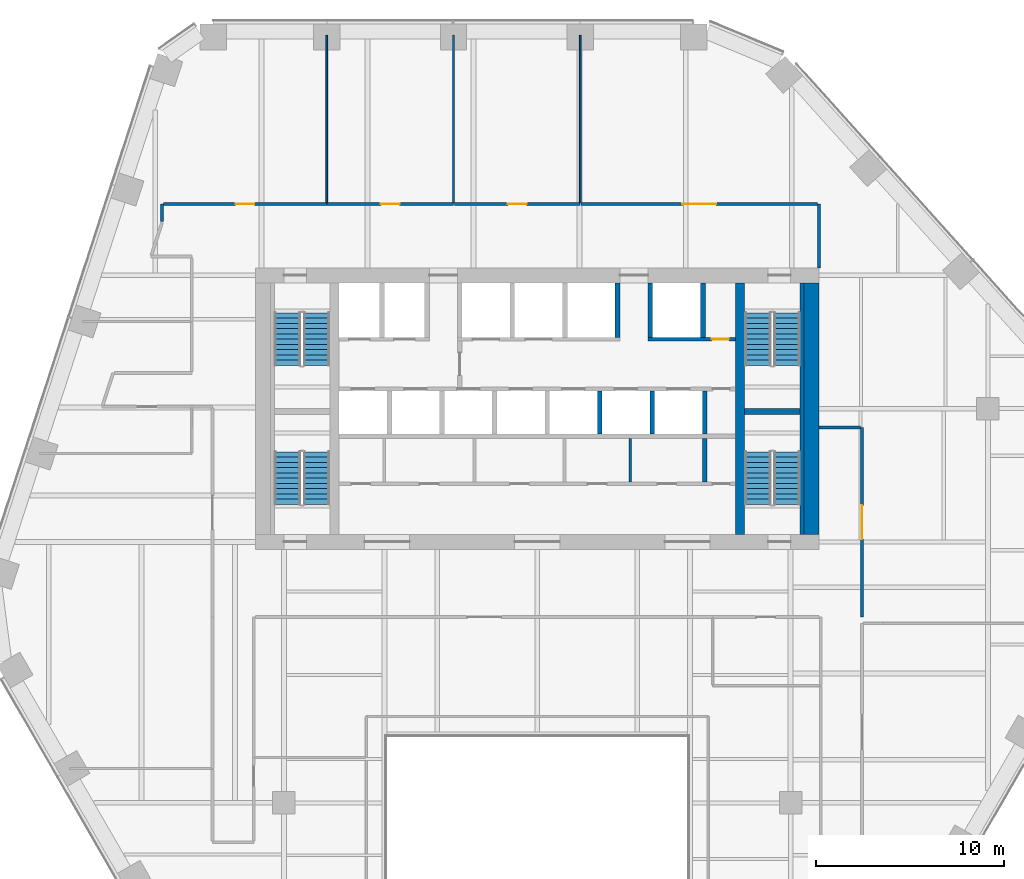
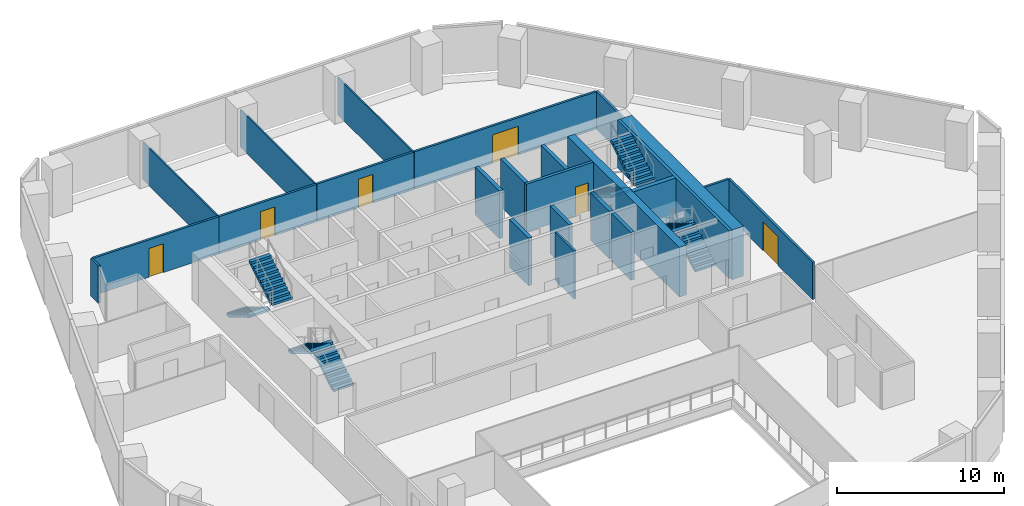
# One storey, part 13 of 16: 24 walls, 8 stair flights, 6 doors, 6 openings, 4 elements without a shape of their own.
"""IFC4 building model written with IfcOpenShell, lengths in metres."""

from ifc_helpers import new_model, si_unit, direction, frame, frame_2d, origin, place, context, subcontext, project, spatial, polyline, rectangle, outline, extrude, material, layer, layer_set, type_object, element, fill, aggregate, save


model = new_model("IFC4")

# Units and contexts
model_context = context("Model", 3, precision=1e-05, world=origin(), true_north=direction((0.0, 1.0)))
body_context = subcontext(model_context, "Body", "Model", "MODEL_VIEW")
ifc_project = project(units=[si_unit("LENGTHUNIT", "METRE"), si_unit("AREAUNIT", "SQUARE_METRE"), si_unit("VOLUMEUNIT", "CUBIC_METRE"), si_unit("PLANEANGLEUNIT", "RADIAN"), si_unit("MASSUNIT", "GRAM", prefix="KILO")], contexts=[model_context])

# Site, building, storey
site_placement = place(None, origin())
site = spatial("IfcSite", under=ifc_project, at=site_placement, CompositionType="ELEMENT")
building_placement = place(site_placement, origin())
building = spatial("IfcBuilding", under=site, at=building_placement, Name="Isthmus Gate Tower", CompositionType="ELEMENT")
storey_placement = place(building_placement, frame((0.0, 0.0, 151.699951171875)))
storey = spatial("IfcBuildingStorey", under=building, at=storey_placement, Name="L37", CompositionType="ELEMENT", Elevation=151.699951171875)

# Wall
ifc_material_1 = material(Name="Gypsum board on steel studs, fire-rated", Category="steel")
ifc_layer_1 = layer(ifc_material_1, 0.14990234375)
ifc_layer_set_1 = layer_set([ifc_layer_1], Name="CORRIDOR WALL 150 60 MIN")
wall_type_1 = type_object("IfcWallType", Name="CORRIDOR WALL 150 60 MIN", PredefinedType="PARTITIONING", material=ifc_layer_set_1)
wall_1_placement = place(storey_placement, frame((15.0, 18.39990234375, 0.0), z_axis=(0.0, 0.0, 1.0), x_axis=(0.0, -1.0, 0.0)))
element("IfcWall", 1, at=wall_1_placement, inside=storey, type_object=wall_type_1, Name="L37 Corridor Wall 150 60 Min", PredefinedType="PARTITIONING", context=body_context, shape_type="SweptSolid", body=[
    extrude(rectangle(XDim=3.39990234375, YDim=0.14990234375, at=frame_2d((1.699951171875, 0.0))), origin(), (0.0, 0.0, 1.0), 2.7412109375),
])

# Wall, opening, door
wall_2_placement = place(storey_placement, frame((17.298095703125, 6.5, 0.0), z_axis=(0.0, 0.0, 1.0), x_axis=(0.0, -1.0, 0.0)))
wall_2 = element("IfcWall", 2, at=wall_2_placement, inside=storey, type_object=wall_type_1, Name="L37 Corridor Wall 150 60 Min", PredefinedType="PARTITIONING", context=body_context, shape_type="SweptSolid", body=[
    extrude(rectangle(XDim=10.10205078125, YDim=0.14990234375, at=frame_2d((5.051025390625, 0.0))), origin(), (0.0, 0.0, 1.0), 2.7412109375),
])
opening_1_placement = place(wall_2_placement, frame((4.15087890625, 0.0, 0.0)))
opening_1 = element("IfcOpeningElement", 3, at=opening_1_placement, cuts=wall_2, Name="Opening DT-T3C-05", PredefinedType="OPENING", context=body_context, shape_type="SweptSolid", body=[
    extrude(rectangle(XDim=1.800048828125, YDim=2.10009765625, at=frame_2d((0.89990234375, 1.050048828125))), frame((0.0, 0.0849609375, 0.0), z_axis=(0.0, -1.0, 0.0), x_axis=(1.0, 0.0, 0.0)), (0.0, 0.0, 1.0), 0.169921875),
])
ifc_material_2 = material(Name="Solid core timber door leaf, fire-rated", Category="wood")
door_type_1 = type_object("IfcDoorType", Name="FIRE DOOR ROOM 1800 X 2100 60 MIN", OperationType="DOUBLE_DOOR_DOUBLE_SWING", PredefinedType="DOOR", material=ifc_material_2)
door_1_placement = place(opening_1_placement, origin())
door_1 = element("IfcDoor", 4, at=door_1_placement, inside=storey, type_object=door_type_1, Name="L37 room door", OperationType="DOUBLE_DOOR_DOUBLE_SWING", OverallHeight=2.10009765625, OverallWidth=1.800048828125, PredefinedType="DOOR", context=body_context, shape_type="SweptSolid", body=[
    extrude(rectangle(XDim=1.800048828125, YDim=2.10009765625, at=frame_2d((0.89990234375, 1.050048828125))), frame((0.0, 0.02490234375, 0.0), z_axis=(0.0, -1.0, 0.0), x_axis=(1.0, 0.0, 0.0)), (0.0, 0.0, 1.0), 0.050048828125),
])
fill(opening_1, door_1)

wall_3_placement = place(storey_placement, frame((-11.2119140625, 18.39990234375, 0.0), z_axis=(0.0, 0.0, 1.0), x_axis=(1.0, 0.0, 0.0)))
wall_3 = element("IfcWall", 5, at=wall_3_placement, inside=storey, type_object=wall_type_1, Name="L37 Corridor Wall 150 60 Min", PredefinedType="PARTITIONING", context=body_context, shape_type="SweptSolid", body=[
    extrude(rectangle(XDim=6.75, YDim=0.14990234375, at=frame_2d((3.375, 0.0))), origin(), (0.0, 0.0, 1.0), 2.7412109375),
])
opening_2_placement = place(wall_3_placement, frame((2.875, 0.0, 0.0)))
opening_2 = element("IfcOpeningElement", 6, at=opening_2_placement, cuts=wall_3, Name="Opening DT-T3C-01", PredefinedType="OPENING", context=body_context, shape_type="SweptSolid", body=[
    extrude(rectangle(XDim=1.0, YDim=2.10009765625, at=frame_2d((0.5, 1.050048828125))), frame((0.0, 0.0849609375, 0.0), z_axis=(0.0, -1.0, 0.0), x_axis=(1.0, 0.0, 0.0)), (0.0, 0.0, 1.0), 0.169921875),
])
ifc_material_3 = material(Name="Solid core timber door leaf, fire-rated", Category="wood")
door_type_2 = type_object("IfcDoorType", Name="FIRE DOOR ROOM 1000 X 2100 60 MIN", OperationType="SINGLE_SWING_LEFT", PredefinedType="DOOR", material=ifc_material_3)
door_2_placement = place(opening_2_placement, origin())
door_2 = element("IfcDoor", 7, at=door_2_placement, inside=storey, type_object=door_type_2, Name="L37 room door", OperationType="SINGLE_SWING_RIGHT", OverallHeight=2.10009765625, OverallWidth=1.0, PredefinedType="DOOR", context=body_context, shape_type="SweptSolid", body=[
    extrude(rectangle(XDim=1.0, YDim=2.10009765625, at=frame_2d((0.5, 1.050048828125))), frame((0.0, 0.02490234375, 0.0), z_axis=(0.0, -1.0, 0.0), x_axis=(1.0, 0.0, 0.0)), (0.0, 0.0, 1.0), 0.050048828125),
])
fill(opening_2, door_2)

wall_4_placement = place(storey_placement, frame((-4.412109375, 18.39990234375, 0.0), z_axis=(0.0, 0.0, 1.0), x_axis=(1.0, 0.0, 0.0)))
wall_4 = element("IfcWall", 8, at=wall_4_placement, inside=storey, type_object=wall_type_1, Name="L37 Corridor Wall 150 60 Min", PredefinedType="PARTITIONING", context=body_context, shape_type="SweptSolid", body=[
    extrude(rectangle(XDim=6.7001953125, YDim=0.14990234375, at=frame_2d((3.35009765625, 0.0))), origin(), (0.0, 0.0, 1.0), 2.7412109375),
])
opening_3_placement = place(wall_4_placement, frame((2.85009765625, 0.0, 0.0)))
opening_3 = element("IfcOpeningElement", 9, at=opening_3_placement, cuts=wall_4, Name="Opening DT-T3C-02", PredefinedType="OPENING", context=body_context, shape_type="SweptSolid", body=[
    extrude(rectangle(XDim=1.0, YDim=2.10009765625, at=frame_2d((0.5, 1.050048828125))), frame((0.0, 0.0849609375, 0.0), z_axis=(0.0, -1.0, 0.0), x_axis=(1.0, 0.0, 0.0)), (0.0, 0.0, 1.0), 0.169921875),
])
door_3_placement = place(opening_3_placement, origin())
door_3 = element("IfcDoor", 10, at=door_3_placement, inside=storey, type_object=door_type_2, Name="L37 room door", OperationType="SINGLE_SWING_RIGHT", OverallHeight=2.10009765625, OverallWidth=1.0, PredefinedType="DOOR", context=body_context, shape_type="SweptSolid", body=[
    extrude(rectangle(XDim=1.0, YDim=2.10009765625, at=frame_2d((0.5, 1.050048828125))), frame((0.0, 0.02490234375, 0.0), z_axis=(0.0, -1.0, 0.0), x_axis=(1.0, 0.0, 0.0)), (0.0, 0.0, 1.0), 0.050048828125),
])
fill(opening_3, door_3)

# Wall
wall_5_placement = place(storey_placement, frame((-19.989990234375, 17.47509765625, 0.0), z_axis=(0.0, 0.0, 1.0), x_axis=(0.0, 1.0, 0.0)))
element("IfcWall", 11, at=wall_5_placement, inside=storey, type_object=wall_type_1, Name="L37 Corridor Wall 150 60 Min", PredefinedType="PARTITIONING", context=body_context, shape_type="SweptSolid", body=[
    extrude(rectangle(XDim=0.9248046875, YDim=0.14990234375, at=frame_2d((0.46240234375, 0.0))), origin(), (0.0, 0.0, 1.0), 2.7412109375),
])

# Wall, opening, door
wall_6_placement = place(storey_placement, frame((-19.9150390625, 18.39990234375, 0.0), z_axis=(0.0, 0.0, 1.0), x_axis=(1.0, 0.0, 0.0)))
wall_6 = element("IfcWall", 12, at=wall_6_placement, inside=storey, type_object=wall_type_1, Name="L37 Corridor Wall 150 60 Min", PredefinedType="PARTITIONING", context=body_context, shape_type="SweptSolid", body=[
    extrude(rectangle(XDim=8.703125, YDim=0.14990234375, at=frame_2d((4.3515625, 0.0))), origin(), (0.0, 0.0, 1.0), 2.7412109375),
])
opening_4_placement = place(wall_6_placement, frame((3.8515625, 0.0, 0.0)))
opening_4 = element("IfcOpeningElement", 13, at=opening_4_placement, cuts=wall_6, Name="Opening DT-T3C-03", PredefinedType="OPENING", context=body_context, shape_type="SweptSolid", body=[
    extrude(rectangle(XDim=1.0, YDim=2.10009765625, at=frame_2d((0.5, 1.050048828125))), frame((0.0, 0.0849609375, 0.0), z_axis=(0.0, -1.0, 0.0), x_axis=(1.0, 0.0, 0.0)), (0.0, 0.0, 1.0), 0.169921875),
])
door_4_placement = place(opening_4_placement, origin())
door_4 = element("IfcDoor", 14, at=door_4_placement, inside=storey, type_object=door_type_2, Name="L37 room door", OperationType="SINGLE_SWING_RIGHT", OverallHeight=2.10009765625, OverallWidth=1.0, PredefinedType="DOOR", context=body_context, shape_type="SweptSolid", body=[
    extrude(rectangle(XDim=1.0, YDim=2.10009765625, at=frame_2d((0.5, 1.050048828125))), frame((0.0, 0.02490234375, 0.0), z_axis=(0.0, -1.0, 0.0), x_axis=(1.0, 0.0, 0.0)), (0.0, 0.0, 1.0), 0.050048828125),
])
fill(opening_4, door_4)

wall_7_placement = place(storey_placement, frame((2.337890625, 18.39990234375, 0.0), z_axis=(0.0, 0.0, 1.0), x_axis=(1.0, 0.0, 0.0)))
wall_7 = element("IfcWall", 15, at=wall_7_placement, inside=storey, type_object=wall_type_1, Name="L37 Corridor Wall 150 60 Min", PredefinedType="PARTITIONING", context=body_context, shape_type="SweptSolid", body=[
    extrude(rectangle(XDim=12.587158203125, YDim=0.14990234375, at=frame_2d((6.29345703125, 0.0))), origin(), (0.0, 0.0, 1.0), 2.7412109375),
])
opening_5_placement = place(wall_7_placement, frame((5.3935546875, 0.0, 0.0)))
opening_5 = element("IfcOpeningElement", 16, at=opening_5_placement, cuts=wall_7, Name="Opening DT-T3C-04", PredefinedType="OPENING", context=body_context, shape_type="SweptSolid", body=[
    extrude(rectangle(XDim=1.800048828125, YDim=2.10009765625, at=frame_2d((0.89990234375, 1.050048828125))), frame((0.0, 0.0849609375, 0.0), z_axis=(0.0, -1.0, 0.0), x_axis=(1.0, 0.0, 0.0)), (0.0, 0.0, 1.0), 0.169921875),
])
door_5_placement = place(opening_5_placement, origin())
door_5 = element("IfcDoor", 17, at=door_5_placement, inside=storey, type_object=door_type_1, Name="L37 room door", OperationType="DOUBLE_DOOR_DOUBLE_SWING", OverallHeight=2.10009765625, OverallWidth=1.800048828125, PredefinedType="DOOR", context=body_context, shape_type="SweptSolid", body=[
    extrude(rectangle(XDim=1.800048828125, YDim=2.10009765625, at=frame_2d((0.89990234375, 1.050048828125))), frame((0.0, 0.02490234375, 0.0), z_axis=(0.0, -1.0, 0.0), x_axis=(1.0, 0.0, 0.0)), (0.0, 0.0, 1.0), 0.050048828125),
])
fill(opening_5, door_5)

# Walls
wall_8_placement = place(storey_placement, frame((15.0, 6.5, 0.0), z_axis=(0.0, 0.0, 1.0), x_axis=(1.0, 0.0, 0.0)))
element("IfcWall", 18, at=wall_8_placement, inside=storey, type_object=wall_type_1, Name="L37 Corridor Wall 150 60 Min", PredefinedType="PARTITIONING", context=body_context, shape_type="SweptSolid", body=[
    extrude(rectangle(XDim=2.222900390625, YDim=0.14990234375, at=frame_2d((1.111328125, 0.0))), origin(), (0.0, 0.0, 1.0), 2.7412109375),
])
ifc_material_4 = material(Name="Concrete f'c 60 MPa", Category="concrete")
ifc_layer_2 = layer(ifc_material_4, 0.5)
ifc_layer_set_2 = layer_set([ifc_layer_2], Name="RC CORE SPINE WALL 500 F'C 60")
wall_type_2 = type_object("IfcWallType", Name="RC CORE SPINE WALL 500 F'C 60", PredefinedType="SOLIDWALL", material=ifc_layer_set_2)
wall_9_placement = place(storey_placement, frame((10.800048828125, 0.800048828125, -0.14990234375), z_axis=(0.0, 0.0, 1.0), x_axis=(0.0, 1.0, 0.0)))
element("IfcWall", 19, at=wall_9_placement, inside=storey, type_object=wall_type_2, Name="str-corewall-L37-SPE", PredefinedType="SOLIDWALL", context=body_context, shape_type="SweptSolid", body=[
    extrude(rectangle(XDim=13.39990234375, YDim=0.5, at=frame_2d((6.699951171875, 0.0))), origin(), (0.0, 0.0, 1.0), 3.64990234375),
])
ifc_material_5 = material(Name="Concrete f'c 60 MPa", Category="concrete")
ifc_layer_3 = layer(ifc_material_5, 0.800048828125)
ifc_layer_set_3 = layer_set([ifc_layer_3], Name="RC CORE WALL 800 F'C 60")
wall_type_3 = type_object("IfcWallType", Name="RC CORE WALL 800 F'C 60", PredefinedType="SOLIDWALL", material=ifc_layer_set_3)
wall_10_placement = place(storey_placement, frame((14.60009765625, 0.800048828125, -0.14990234375), z_axis=(0.0, 0.0, 1.0), x_axis=(0.0, 1.0, 0.0)))
element("IfcWall", 20, at=wall_10_placement, inside=storey, type_object=wall_type_3, Name="str-corewall-L37-E", PredefinedType="SOLIDWALL", context=body_context, shape_type="SweptSolid", body=[
    extrude(rectangle(XDim=13.39990234375, YDim=0.800048828125, at=frame_2d((6.699951171875, 0.0))), origin(), (0.0, 0.0, 1.0), 3.64990234375),
])
ifc_material_6 = material(Name="Gypsum board on steel studs, fire-rated", Category="steel")
ifc_layer_4 = layer(ifc_material_6, 0.10009765625)
ifc_layer_set_4 = layer_set([ifc_layer_4], Name="ROOM PARTITION 100 30 MIN")
wall_type_4 = type_object("IfcWallType", Name="ROOM PARTITION 100 30 MIN", PredefinedType="PARTITIONING", material=ifc_layer_set_4)
for number, where, z_axis, x_axis, name in (
    (21, (-4.4619140625, 18.47509765625, 0.0), (0.0, 0.0, 1.0), (0.0, 1.0, 0.0), "L37 Room Partition 100 30 Min"),
    (22, (2.2880859375, 18.47509765625, 0.0), (0.0, 0.0, 1.0), (0.0, 1.0, 0.0), "L37 Room Partition 100 30 Min"),
    (23, (-11.2119140625, 18.47509765625, 0.0), (0.0, 0.0, 1.0), (0.0, 1.0, 0.0), "L37 Room Partition 100 30 Min"),
):
    element("IfcWall", number, at=place(storey_placement, frame(where, z_axis=z_axis, x_axis=x_axis)), inside=storey, type_object=wall_type_4, Name=name, PredefinedType="PARTITIONING", context=body_context, shape_type="SweptSolid", body=[
        extrude(rectangle(XDim=8.9248046875, YDim=0.10009765625, at=frame_2d((4.46240234375, 0.0))), origin(), (0.0, 0.0, 1.0), 2.7412109375),
    ])
ifc_material_7 = material(Name="Gypsum board on steel studs, fire-rated", Category="steel")
ifc_layer_5 = layer(ifc_material_7, 0.14990234375)
ifc_layer_set_5 = layer_set([ifc_layer_5], Name="ROOM PARTITION 150 60 MIN")
wall_type_5 = type_object("IfcWallType", Name="ROOM PARTITION 150 60 MIN", PredefinedType="PARTITIONING", material=ifc_layer_set_5)
wall_11_placement = place(storey_placement, frame((4.949951171875, 3.60009765625, 0.0), z_axis=(0.0, 0.0, 1.0), x_axis=(0.0, 1.0, 0.0)))
element("IfcWall", 24, at=wall_11_placement, inside=storey, type_object=wall_type_5, Name="L37 ROOM PARTITION 150 60 MIN", PredefinedType="PARTITIONING", context=body_context, shape_type="SweptSolid", body=[
    extrude(rectangle(XDim=2.2998046875, YDim=0.14990234375, at=frame_2d((1.14990234375, 0.0))), origin(), (0.0, 0.0, 1.0), 3.5),
])

# Wall, opening, door
ifc_material_8 = material(Name="Fire-rated blockwork masonry, 15 MPa", Category="masonry")
ifc_layer_6 = layer(ifc_material_8, 0.199951171875)
ifc_layer_set_6 = layer_set([ifc_layer_6], Name="SHAFT FRONT WALL 200 120 MIN")
wall_type_6 = type_object("IfcWallType", Name="SHAFT FRONT WALL 200 120 MIN", PredefinedType="PARTITIONING", material=ifc_layer_set_6)
wall_12_placement = place(storey_placement, frame((5.89990234375, 11.199951171875, 0.0), z_axis=(0.0, 0.0, 1.0), x_axis=(1.0, 0.0, 0.0)))
wall_12 = element("IfcWall", 25, at=wall_12_placement, inside=storey, type_object=wall_type_6, Name="L37 SHAFT FRONT WALL 200 120 MIN", PredefinedType="PARTITIONING", context=body_context, shape_type="SweptSolid", body=[
    extrude(rectangle(XDim=4.650146484375, YDim=0.199951171875, at=frame_2d((2.3251953125, 0.0))), origin(), (0.0, 0.0, 1.0), 3.5),
])
opening_6_placement = place(wall_12_placement, frame((3.39990234375, 0.0, 0.0)))
opening_6 = element("IfcOpeningElement", 26, at=opening_6_placement, cuts=wall_12, Name="Opening DC-A12-09", PredefinedType="OPENING", context=body_context, shape_type="SweptSolid", body=[
    extrude(rectangle(XDim=0.89990234375, YDim=2.10009765625, at=frame_2d((0.449951171875, 1.050048828125))), frame((0.0, 0.10986328125, 0.0), z_axis=(0.0, -1.0, 0.0), x_axis=(1.0, 0.0, 0.0)), (0.0, 0.0, 1.0), 0.219970703125),
])
ifc_material_9 = material(Name="Steel door leaf, fire-rated", Category="steel")
door_type_3 = type_object("IfcDoorType", Name="RISER FIRE DOOR 900 X 2100 90 MIN", OperationType="SINGLE_SWING_LEFT", PredefinedType="DOOR", material=ifc_material_9)
door_6_placement = place(opening_6_placement, origin())
door_6 = element("IfcDoor", 27, at=door_6_placement, inside=storey, type_object=door_type_3, Name="Riser Door", OperationType="SINGLE_SWING_LEFT", OverallHeight=2.10009765625, OverallWidth=0.89990234375, PredefinedType="DOOR", context=body_context, shape_type="SweptSolid", body=[
    extrude(rectangle(XDim=0.89990234375, YDim=2.10009765625, at=frame_2d((0.449951171875, 1.050048828125))), frame((0.0, 0.02490234375, 0.0), z_axis=(0.0, -1.0, 0.0), x_axis=(1.0, 0.0, 0.0)), (0.0, 0.0, 1.0), 0.050048828125),
])
fill(opening_6, door_6)

# Walls
ifc_material_10 = material(Name="Fire-rated blockwork masonry, 15 MPa", Category="masonry")
ifc_layer_7 = layer(ifc_material_10, 0.25)
ifc_layer_set_7 = layer_set([ifc_layer_7], Name="SHAFT WALL 250 120 MIN")
wall_type_7 = type_object("IfcWallType", Name="SHAFT WALL 250 120 MIN", PredefinedType="PARTITIONING", material=ifc_layer_set_7)
wall_13_placement = place(storey_placement, frame((8.925048828125, 3.60009765625, 0.0), z_axis=(0.0, 0.0, 1.0), x_axis=(0.0, 1.0, 0.0)))
element("IfcWall", 28, at=wall_13_placement, inside=storey, type_object=wall_type_7, Name="L37 SHAFT WALL 250 120 MIN", PredefinedType="PARTITIONING", context=body_context, shape_type="SweptSolid", body=[
    extrude(rectangle(XDim=2.2998046875, YDim=0.25, at=frame_2d((1.14990234375, 0.0))), origin(), (0.0, 0.0, 1.0), 3.5),
])
for number, where, z_axis, x_axis, name in (
    (29, (3.324951171875, 6.14990234375, 0.0), (0.0, 0.0, 1.0), (0.0, 1.0, 0.0), "L37 SHAFT WALL 250 120 MIN"),
    (30, (6.125, 6.14990234375, 0.0), (0.0, 0.0, 1.0), (0.0, 1.0, 0.0), "L37 SHAFT WALL 250 120 MIN"),
    (31, (8.925048828125, 6.14990234375, 0.0), (0.0, 0.0, 1.0), (0.0, 1.0, 0.0), "L37 SHAFT WALL 250 120 MIN"),
):
    element("IfcWall", number, at=place(storey_placement, frame(where, z_axis=z_axis, x_axis=x_axis)), inside=storey, type_object=wall_type_7, Name=name, PredefinedType="PARTITIONING", context=body_context, shape_type="SweptSolid", body=[
        extrude(rectangle(XDim=2.300048828125, YDim=0.25, at=frame_2d((1.14990234375, 0.0))), origin(), (0.0, 0.0, 1.0), 3.5),
    ])
for number, where, z_axis, x_axis, name in (
    (32, (4.27490234375, 11.300048828125, 0.0), (0.0, 0.0, 1.0), (0.0, 1.0, 0.0), "L37 SHAFT WALL 250 120 MIN"),
    (33, (6.02490234375, 11.300048828125, 0.0), (0.0, 0.0, 1.0), (0.0, 1.0, 0.0), "L37 SHAFT WALL 250 120 MIN"),
    (34, (8.824951171875, 11.300048828125, 0.0), (0.0, 0.0, 1.0), (0.0, 1.0, 0.0), "L37 SHAFT WALL 250 120 MIN"),
):
    element("IfcWall", number, at=place(storey_placement, frame(where, z_axis=z_axis, x_axis=x_axis)), inside=storey, type_object=wall_type_7, Name=name, PredefinedType="PARTITIONING", context=body_context, shape_type="SweptSolid", body=[
        extrude(rectangle(XDim=2.89990234375, YDim=0.25, at=frame_2d((1.449951171875, 0.0))), origin(), (0.0, 0.0, 1.0), 3.5),
    ])
ifc_material_11 = material(Name="Concrete f'c 40 MPa", Category="concrete")
ifc_layer_8 = layer(ifc_material_11, 0.199951171875)
ifc_layer_set_8 = layer_set([ifc_layer_8], Name="STAIR ENCLOSURE WALL 200 180 MIN")
wall_type_8 = type_object("IfcWallType", Name="STAIR ENCLOSURE WALL 200 180 MIN", PredefinedType="SOLIDWALL", material=ifc_layer_set_8)
wall_14_placement = place(storey_placement, frame((14.10009765625, 0.800048828125, 0.0), z_axis=(0.0, 0.0, 1.0), x_axis=(0.0, 1.0, 0.0)))
element("IfcWall", 35, at=wall_14_placement, inside=storey, type_object=wall_type_8, Name="L37 STAIR ENCLOSURE WALL 200 180 MIN", PredefinedType="SOLIDWALL", context=body_context, shape_type="SweptSolid", body=[
    extrude(rectangle(XDim=13.39990234375, YDim=0.199951171875, at=frame_2d((6.699951171875, 0.0))), origin(), (0.0, 0.0, 1.0), 3.5),
])
ifc_material_12 = material(Name="Concrete f'c 40 MPa", Category="concrete")
ifc_layer_9 = layer(ifc_material_12, 0.300048828125)
ifc_layer_set_9 = layer_set([ifc_layer_9], Name="STAIR ENCLOSURE WALL 300 180 MIN")
wall_type_9 = type_object("IfcWallType", Name="STAIR ENCLOSURE WALL 300 180 MIN", PredefinedType="SOLIDWALL", material=ifc_layer_set_9)
wall_15_placement = place(storey_placement, frame((11.050048828125, 7.35009765625, 0.0), z_axis=(0.0, 0.0, 1.0), x_axis=(1.0, 0.0, 0.0)))
element("IfcWall", 36, at=wall_15_placement, inside=storey, type_object=wall_type_9, Name="L37 STAIR ENCLOSURE WALL 300 180 MIN", PredefinedType="SOLIDWALL", context=body_context, shape_type="SweptSolid", body=[
    extrude(rectangle(XDim=2.949951171875, YDim=0.300048828125, at=frame_2d((1.47509765625, 0.0))), origin(), (0.0, 0.0, 1.0), 3.5),
])

# Stair, stair flights
ifc_material_13 = material(Name="Concrete f'c 40 MPa", Category="concrete")
stair_type = type_object("IfcStairType", Name="CORE STAIR 22 RISERS", PredefinedType="HALF_TURN_STAIR", material=ifc_material_13)
stair_1_placement = place(storey_placement, origin())
stair_1 = element("IfcStair", 37, at=stair_1_placement, inside=storey, type_object=stair_type, Name="L37 Exit Stair 1", PredefinedType="HALF_TURN_STAIR")
ifc_material_14 = material(Name="Concrete f'c 40 MPa", Category="concrete")
stair_flight_type = type_object("IfcStairFlightType", Name="STAIR FLIGHT RC 1400", PredefinedType="STRAIGHT", material=ifc_material_14)
stair_flight_1_placement = place(storey_placement, frame((-13.300048828125, 12.60009765625, 0.0), z_axis=(0.0, 0.0, 1.0), x_axis=(0.0, -1.0, 0.0)))
stair_flight_1 = element("IfcStairFlight", 38, at=stair_flight_1_placement, type_object=stair_flight_type, Name="ST1 flight 1", NumberOfRisers=11, NumberOfTreads=10, PredefinedType="STRAIGHT", RiserHeight=0.165909091, TreadLength=0.28, context=body_context, shape_type="SweptSolid", body=[
    extrude(outline(polyline([(0.0, 0.0), (0.0, 0.166015625), (0.280029296875, 0.166015625), (0.280029296875, 0.331787109375), (0.56005859375, 0.331787109375), (0.56005859375, 0.497802734375), (0.840087890625, 0.497802734375), (0.840087890625, 0.66357421875), (1.1201171875, 0.66357421875), (1.1201171875, 0.82958984375), (1.39990234375, 0.82958984375), (1.39990234375, 0.995361328125), (1.679931640625, 0.995361328125), (1.679931640625, 1.161376953125), (1.9599609375, 1.161376953125), (1.9599609375, 1.327392578125), (2.239990234375, 1.327392578125), (2.239990234375, 1.4931640625), (2.52001953125, 1.4931640625), (2.52001953125, 1.6591796875), (2.800048828125, 1.6591796875), (2.800048828125, 1.824951171875), (2.800048828125, 1.48486328125), (0.2939453125, 0.0), (0.0, 0.0)])), frame((0.0, 0.699951171875, 0.0), z_axis=(0.0, -1.0, 0.0), x_axis=(1.0, 0.0, 0.0)), (0.0, 0.0, 1.0), 1.39990234375),
])
stair_flight_2_placement = place(storey_placement, frame((-11.75, 9.800048828125, 1.824951171875), z_axis=(0.0, 0.0, 1.0), x_axis=(0.0, 1.0, 0.0)))
stair_flight_2 = element("IfcStairFlight", 39, at=stair_flight_2_placement, type_object=stair_flight_type, Name="ST1 flight 2", NumberOfRisers=11, NumberOfTreads=10, PredefinedType="STRAIGHT", RiserHeight=0.165909091, TreadLength=0.28, context=body_context, shape_type="SweptSolid", body=[
    extrude(outline(polyline([(0.0, 0.0), (0.0, 0.166015625), (0.280029296875, 0.166015625), (0.280029296875, 0.331787109375), (0.56005859375, 0.331787109375), (0.56005859375, 0.497802734375), (0.840087890625, 0.497802734375), (0.840087890625, 0.66357421875), (1.1201171875, 0.66357421875), (1.1201171875, 0.82958984375), (1.39990234375, 0.82958984375), (1.39990234375, 0.995361328125), (1.679931640625, 0.995361328125), (1.679931640625, 1.161376953125), (1.9599609375, 1.161376953125), (1.9599609375, 1.327392578125), (2.239990234375, 1.327392578125), (2.239990234375, 1.4931640625), (2.52001953125, 1.4931640625), (2.52001953125, 1.6591796875), (2.800048828125, 1.6591796875), (2.800048828125, 1.824951171875), (2.800048828125, 1.48486328125), (0.2939453125, 0.0), (0.0, 0.0)])), frame((0.0, 0.699951171875, 0.0), z_axis=(0.0, -1.0, 0.0), x_axis=(1.0, 0.0, 0.0)), (0.0, 0.0, 1.0), 1.39990234375),
])
aggregate(stair_1, [stair_flight_1, stair_flight_2])

stair_2_placement = place(storey_placement, origin())
stair_2 = element("IfcStair", 40, at=stair_2_placement, inside=storey, type_object=stair_type, Name="L37 Exit Stair 2", PredefinedType="HALF_TURN_STAIR")
stair_flight_3_placement = place(storey_placement, frame((11.75, 12.60009765625, 0.0), z_axis=(0.0, 0.0, 1.0), x_axis=(0.0, -1.0, 0.0)))
stair_flight_3 = element("IfcStairFlight", 41, at=stair_flight_3_placement, type_object=stair_flight_type, Name="ST2 flight 1", NumberOfRisers=11, NumberOfTreads=10, PredefinedType="STRAIGHT", RiserHeight=0.165909091, TreadLength=0.28, context=body_context, shape_type="SweptSolid", body=[
    extrude(outline(polyline([(0.0, 0.0), (0.0, 0.166015625), (0.280029296875, 0.166015625), (0.280029296875, 0.331787109375), (0.56005859375, 0.331787109375), (0.56005859375, 0.497802734375), (0.840087890625, 0.497802734375), (0.840087890625, 0.66357421875), (1.1201171875, 0.66357421875), (1.1201171875, 0.82958984375), (1.39990234375, 0.82958984375), (1.39990234375, 0.995361328125), (1.679931640625, 0.995361328125), (1.679931640625, 1.161376953125), (1.9599609375, 1.161376953125), (1.9599609375, 1.327392578125), (2.239990234375, 1.327392578125), (2.239990234375, 1.4931640625), (2.52001953125, 1.4931640625), (2.52001953125, 1.6591796875), (2.800048828125, 1.6591796875), (2.800048828125, 1.824951171875), (2.800048828125, 1.48486328125), (0.2939453125, 0.0), (0.0, 0.0)])), frame((0.0, 0.699951171875, 0.0), z_axis=(0.0, -1.0, 0.0), x_axis=(1.0, 0.0, 0.0)), (0.0, 0.0, 1.0), 1.39990234375),
])
stair_flight_4_placement = place(storey_placement, frame((13.300048828125, 9.800048828125, 1.824951171875), z_axis=(0.0, 0.0, 1.0), x_axis=(0.0, 1.0, 0.0)))
stair_flight_4 = element("IfcStairFlight", 42, at=stair_flight_4_placement, type_object=stair_flight_type, Name="ST2 flight 2", NumberOfRisers=11, NumberOfTreads=10, PredefinedType="STRAIGHT", RiserHeight=0.165909091, TreadLength=0.28, context=body_context, shape_type="SweptSolid", body=[
    extrude(outline(polyline([(0.0, 0.0), (0.0, 0.166015625), (0.280029296875, 0.166015625), (0.280029296875, 0.331787109375), (0.56005859375, 0.331787109375), (0.56005859375, 0.497802734375), (0.840087890625, 0.497802734375), (0.840087890625, 0.66357421875), (1.1201171875, 0.66357421875), (1.1201171875, 0.82958984375), (1.39990234375, 0.82958984375), (1.39990234375, 0.995361328125), (1.679931640625, 0.995361328125), (1.679931640625, 1.161376953125), (1.9599609375, 1.161376953125), (1.9599609375, 1.327392578125), (2.239990234375, 1.327392578125), (2.239990234375, 1.4931640625), (2.52001953125, 1.4931640625), (2.52001953125, 1.6591796875), (2.800048828125, 1.6591796875), (2.800048828125, 1.824951171875), (2.800048828125, 1.48486328125), (0.2939453125, 0.0), (0.0, 0.0)])), frame((0.0, 0.699951171875, 0.0), z_axis=(0.0, -1.0, 0.0), x_axis=(1.0, 0.0, 0.0)), (0.0, 0.0, 1.0), 1.39990234375),
])
aggregate(stair_2, [stair_flight_3, stair_flight_4])

stair_3_placement = place(storey_placement, origin())
stair_3 = element("IfcStair", 43, at=stair_3_placement, inside=storey, type_object=stair_type, Name="L37 Exit Stair 7", PredefinedType="HALF_TURN_STAIR")
stair_flight_5_placement = place(storey_placement, frame((-11.75, 2.39990234375, 0.0), z_axis=(0.0, 0.0, 1.0), x_axis=(0.0, 1.0, 0.0)))
stair_flight_5 = element("IfcStairFlight", 44, at=stair_flight_5_placement, type_object=stair_flight_type, Name="ST7 flight 1", NumberOfRisers=11, NumberOfTreads=10, PredefinedType="STRAIGHT", RiserHeight=0.165909091, TreadLength=0.28, context=body_context, shape_type="SweptSolid", body=[
    extrude(outline(polyline([(0.0, 0.0), (0.0, 0.166015625), (0.280029296875, 0.166015625), (0.280029296875, 0.331787109375), (0.56005859375, 0.331787109375), (0.56005859375, 0.497802734375), (0.840087890625, 0.497802734375), (0.840087890625, 0.66357421875), (1.1201171875, 0.66357421875), (1.1201171875, 0.82958984375), (1.39990234375, 0.82958984375), (1.39990234375, 0.995361328125), (1.679931640625, 0.995361328125), (1.679931640625, 1.161376953125), (1.9599609375, 1.161376953125), (1.9599609375, 1.327392578125), (2.239990234375, 1.327392578125), (2.239990234375, 1.4931640625), (2.52001953125, 1.4931640625), (2.52001953125, 1.6591796875), (2.800048828125, 1.6591796875), (2.800048828125, 1.824951171875), (2.800048828125, 1.48486328125), (0.2939453125, 0.0), (0.0, 0.0)])), frame((0.0, 0.699951171875, 0.0), z_axis=(0.0, -1.0, 0.0), x_axis=(1.0, 0.0, 0.0)), (0.0, 0.0, 1.0), 1.39990234375),
])
stair_flight_6_placement = place(storey_placement, frame((-13.300048828125, 5.199951171875, 1.824951171875), z_axis=(0.0, 0.0, 1.0), x_axis=(0.0, -1.0, 0.0)))
stair_flight_6 = element("IfcStairFlight", 45, at=stair_flight_6_placement, type_object=stair_flight_type, Name="ST7 flight 2", NumberOfRisers=11, NumberOfTreads=10, PredefinedType="STRAIGHT", RiserHeight=0.165909091, TreadLength=0.28, context=body_context, shape_type="SweptSolid", body=[
    extrude(outline(polyline([(0.0, 0.0), (0.0, 0.166015625), (0.280029296875, 0.166015625), (0.280029296875, 0.331787109375), (0.56005859375, 0.331787109375), (0.56005859375, 0.497802734375), (0.840087890625, 0.497802734375), (0.840087890625, 0.66357421875), (1.1201171875, 0.66357421875), (1.1201171875, 0.82958984375), (1.39990234375, 0.82958984375), (1.39990234375, 0.995361328125), (1.679931640625, 0.995361328125), (1.679931640625, 1.161376953125), (1.9599609375, 1.161376953125), (1.9599609375, 1.327392578125), (2.239990234375, 1.327392578125), (2.239990234375, 1.4931640625), (2.52001953125, 1.4931640625), (2.52001953125, 1.6591796875), (2.800048828125, 1.6591796875), (2.800048828125, 1.824951171875), (2.800048828125, 1.48486328125), (0.2939453125, 0.0), (0.0, 0.0)])), frame((0.0, 0.699951171875, 0.0), z_axis=(0.0, -1.0, 0.0), x_axis=(1.0, 0.0, 0.0)), (0.0, 0.0, 1.0), 1.39990234375),
])
aggregate(stair_3, [stair_flight_5, stair_flight_6])

stair_4_placement = place(storey_placement, origin())
stair_4 = element("IfcStair", 46, at=stair_4_placement, inside=storey, type_object=stair_type, Name="L37 Exit Stair 8", PredefinedType="HALF_TURN_STAIR")
stair_flight_7_placement = place(storey_placement, frame((13.300048828125, 2.39990234375, 0.0), z_axis=(0.0, 0.0, 1.0), x_axis=(0.0, 1.0, 0.0)))
stair_flight_7 = element("IfcStairFlight", 47, at=stair_flight_7_placement, type_object=stair_flight_type, Name="ST8 flight 1", NumberOfRisers=11, NumberOfTreads=10, PredefinedType="STRAIGHT", RiserHeight=0.165909091, TreadLength=0.28, context=body_context, shape_type="SweptSolid", body=[
    extrude(outline(polyline([(0.0, 0.0), (0.0, 0.166015625), (0.280029296875, 0.166015625), (0.280029296875, 0.331787109375), (0.56005859375, 0.331787109375), (0.56005859375, 0.497802734375), (0.840087890625, 0.497802734375), (0.840087890625, 0.66357421875), (1.1201171875, 0.66357421875), (1.1201171875, 0.82958984375), (1.39990234375, 0.82958984375), (1.39990234375, 0.995361328125), (1.679931640625, 0.995361328125), (1.679931640625, 1.161376953125), (1.9599609375, 1.161376953125), (1.9599609375, 1.327392578125), (2.239990234375, 1.327392578125), (2.239990234375, 1.4931640625), (2.52001953125, 1.4931640625), (2.52001953125, 1.6591796875), (2.800048828125, 1.6591796875), (2.800048828125, 1.824951171875), (2.800048828125, 1.48486328125), (0.2939453125, 0.0), (0.0, 0.0)])), frame((0.0, 0.699951171875, 0.0), z_axis=(0.0, -1.0, 0.0), x_axis=(1.0, 0.0, 0.0)), (0.0, 0.0, 1.0), 1.39990234375),
])
stair_flight_8_placement = place(storey_placement, frame((11.75, 5.199951171875, 1.824951171875), z_axis=(0.0, 0.0, 1.0), x_axis=(0.0, -1.0, 0.0)))
stair_flight_8 = element("IfcStairFlight", 48, at=stair_flight_8_placement, type_object=stair_flight_type, Name="ST8 flight 2", NumberOfRisers=11, NumberOfTreads=10, PredefinedType="STRAIGHT", RiserHeight=0.165909091, TreadLength=0.28, context=body_context, shape_type="SweptSolid", body=[
    extrude(outline(polyline([(0.0, 0.0), (0.0, 0.166015625), (0.280029296875, 0.166015625), (0.280029296875, 0.331787109375), (0.56005859375, 0.331787109375), (0.56005859375, 0.497802734375), (0.840087890625, 0.497802734375), (0.840087890625, 0.66357421875), (1.1201171875, 0.66357421875), (1.1201171875, 0.82958984375), (1.39990234375, 0.82958984375), (1.39990234375, 0.995361328125), (1.679931640625, 0.995361328125), (1.679931640625, 1.161376953125), (1.9599609375, 1.161376953125), (1.9599609375, 1.327392578125), (2.239990234375, 1.327392578125), (2.239990234375, 1.4931640625), (2.52001953125, 1.4931640625), (2.52001953125, 1.6591796875), (2.800048828125, 1.6591796875), (2.800048828125, 1.824951171875), (2.800048828125, 1.48486328125), (0.2939453125, 0.0), (0.0, 0.0)])), frame((0.0, 0.699951171875, 0.0), z_axis=(0.0, -1.0, 0.0), x_axis=(1.0, 0.0, 0.0)), (0.0, 0.0, 1.0), 1.39990234375),
])
aggregate(stair_4, [stair_flight_7, stair_flight_8])

save(model, "model.ifc")
